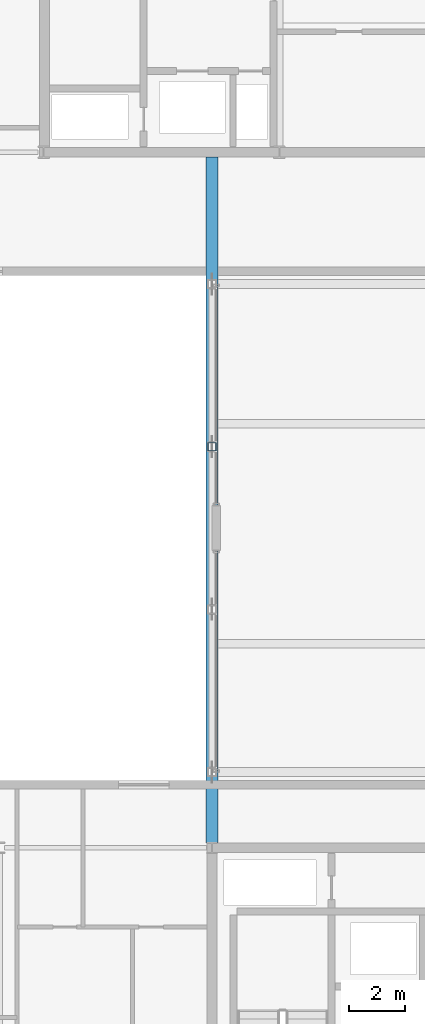
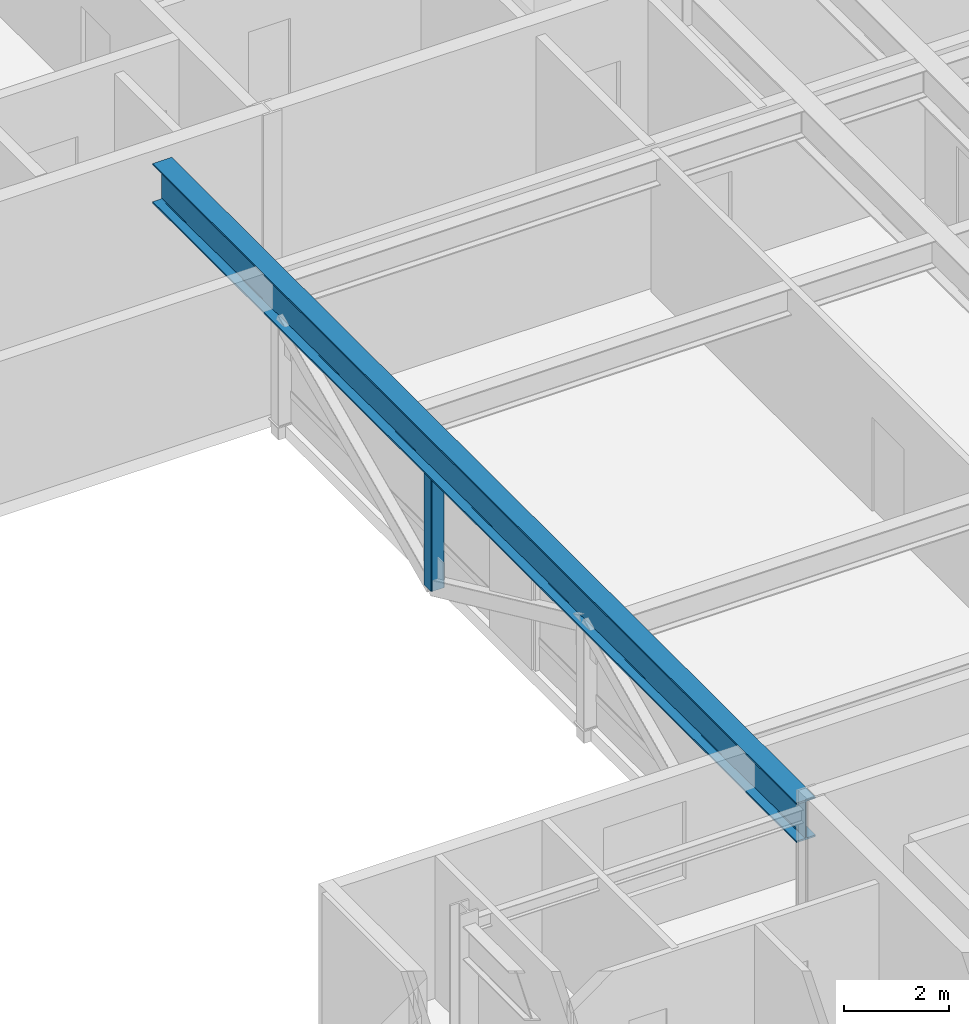
# One storey, part 5 of 35: 1 beam, 1 member.
"""IFC4 building model written with IfcOpenShell, lengths in metres."""

import ifcopenshell
import ifcopenshell.guid

model = None  # the IFC model being written
_history = None  # IfcOwnerHistory: only IFC2X3 demands one
_inside = {}  # id of a spatial element -> (the spatial element, [elements in it])
_under = {}  # id of a project, library or spatial element -> (it, [spatial elements below it])
_declared = {}  # id of a project -> (the project, [libraries it declares])
_typed = {}  # id of a type object -> (the type object, [elements of that type])
_made_of = {}  # id of a material, layer set ... -> (it, [elements and type objects made of it])


def new_model(schema):
    """Start an empty IFC model of exactly this schema.

    Asked for "IFC4X3", IfcOpenShell would pick the latest addendum, in which some entities
    have other attributes; the version numbers below select the first issue.
    IFC2X3 requires an IfcOwnerHistory on every rooted entity: one is made here for all.
    """
    global model, _history
    if schema == "IFC4X3":
        model = ifcopenshell.file(schema_version=(4, 3, 0, 0))
    else:
        model = ifcopenshell.file(schema=schema)
    _inside.clear()
    _under.clear()
    _declared.clear()
    _typed.clear()
    _made_of.clear()
    _history = None
    if model.schema == "IFC2X3":
        org = make("IfcOrganization", Name="unknown")
        user = make(
            "IfcPersonAndOrganization",
            ThePerson=make("IfcPerson", FamilyName="unknown"),
            TheOrganization=org,
        )
        app = make(
            "IfcApplication",
            ApplicationDeveloper=org,
            Version="unknown",
            ApplicationFullName="unknown",
            ApplicationIdentifier="unknown",
        )
        _history = make(
            "IfcOwnerHistory",
            OwningUser=user,
            OwningApplication=app,
            ChangeAction="ADDED",
            CreationDate=0,
        )
    return model


def make(cls, **values):
    """One entity of the class cls with the attributes given. An attribute that is None is left unset."""
    return model.create_entity(
        cls, **{name: value for name, value in values.items() if value is not None}
    )


def rooted(cls, **values):
    """An entity with a GlobalId (a new one), such as an element, a storey or a relation."""
    return make(cls, GlobalId=ifcopenshell.guid.new(), OwnerHistory=_history, **values)


def si_unit(unit_type, name, prefix=None):
    """IfcSIUnit, for example si_unit("LENGTHUNIT", "METRE", prefix="MILLI")."""
    return make("IfcSIUnit", UnitType=unit_type, Prefix=prefix, Name=name)


def assignment(units):
    """IfcUnitAssignment: the units of a project."""
    return None if units is None else make("IfcUnitAssignment", Units=units)


def point(xyz):
    """IfcCartesianPoint."""
    return None if xyz is None else make("IfcCartesianPoint", Coordinates=xyz)


def direction(xyz):
    """IfcDirection."""
    return None if xyz is None else make("IfcDirection", DirectionRatios=xyz)


def frame(location, z_axis=None, x_axis=None):
    """IfcAxis2Placement3D, a coordinate frame: its origin and axes. An axis left out is left unset."""
    return make(
        "IfcAxis2Placement3D",
        Location=point(location),
        Axis=direction(z_axis),
        RefDirection=direction(x_axis),
    )


def frame_2d(location, x_axis=None):
    """IfcAxis2Placement2D, a coordinate frame in the plane: its origin and x axis."""
    return make(
        "IfcAxis2Placement2D", Location=point(location), RefDirection=direction(x_axis)
    )


def origin():
    """The frame at (0, 0, 0) with its axes left unset."""
    return frame((0.0, 0.0, 0.0))


def origin_2d():
    """The frame at (0, 0) in the plane with its x axis left unset."""
    return frame_2d((0.0, 0.0))


def place(relative_to, where):
    """IfcLocalPlacement: puts the frame where relative to a parent placement (None: the world)."""
    return make(
        "IfcLocalPlacement", PlacementRelTo=relative_to, RelativePlacement=where
    )


def context(
    kind, dimensions, precision=None, world=None, true_north=None, identifier=None
):
    """IfcGeometricRepresentationContext, for example the 3D "Model" context."""
    return make(
        "IfcGeometricRepresentationContext",
        ContextIdentifier=identifier,
        ContextType=kind,
        CoordinateSpaceDimension=dimensions,
        Precision=precision,
        WorldCoordinateSystem=world,
        TrueNorth=true_north,
    )


def subcontext(parent, identifier, kind, view, scale=None):
    """IfcGeometricRepresentationSubContext, for example "Body" below "Model"."""
    return make(
        "IfcGeometricRepresentationSubContext",
        ContextIdentifier=identifier,
        ContextType=kind,
        ParentContext=parent,
        TargetScale=scale,
        TargetView=view,
    )


def project(units=None, contexts=None):
    """IfcProject with its units and contexts."""
    return rooted(
        "IfcProject",
        Name="project",
        RepresentationContexts=contexts,
        UnitsInContext=assignment(units),
    )


def spatial(cls, under=None, at=None, **own):
    """A site, building, storey or space (cls), placed at a placement, below another one or the project."""
    s = rooted(cls, ObjectPlacement=at, **own)
    if under is not None:
        _under.setdefault(under.id(), (under, []))[1].append(s)
    return s


def profile(cls, at=None, kind="AREA", **sizes):
    """A parametric profile (cls). Its sizes go by their IFC names, for example OverallWidth=200.0."""
    return make(cls, ProfileType=kind, Position=at, **sizes)


def hollow_rectangle(**sizes):
    """IfcRectangleHollowProfileDef."""
    return profile("IfcRectangleHollowProfileDef", **sizes)


def i_section(**sizes):
    """IfcIShapeProfileDef."""
    return profile("IfcIShapeProfileDef", **sizes)


def extrude(swept, where, along, depth):
    """IfcExtrudedAreaSolid: the profile swept, set in the frame where, extruded along a direction by depth."""
    return make(
        "IfcExtrudedAreaSolid",
        SweptArea=swept,
        Position=where,
        ExtrudedDirection=direction(along),
        Depth=depth,
    )


def shape(context_of_items, identifier, shape_type, items):
    """IfcShapeRepresentation: the items that make up one representation, for example the "Body"."""
    return make(
        "IfcShapeRepresentation",
        ContextOfItems=context_of_items,
        RepresentationIdentifier=identifier,
        RepresentationType=shape_type,
        Items=items,
    )


def material(Name=None, Category=None):
    """IfcMaterial."""
    return make("IfcMaterial", Name=Name, Category=Category)


def material_profile(
    of_material, cross_section, Name=None, Category=None, Priority=None
):
    """IfcMaterialProfile: a cross section and its material."""
    return make(
        "IfcMaterialProfile",
        Name=Name,
        Material=of_material,
        Profile=cross_section,
        Priority=Priority,
        Category=Category,
    )


def profile_set(profiles, Name=None, composite=None):
    """IfcMaterialProfileSet."""
    return make(
        "IfcMaterialProfileSet",
        Name=Name,
        MaterialProfiles=profiles,
        CompositeProfile=composite,
    )


def made_of(thing, what):
    """Note that an element or type object is made of a material, layer set ...; save() writes the relation."""
    if what is not None:
        _made_of.setdefault(what.id(), (what, []))[1].append(thing)
    return thing


def type_object(cls, material=None, **own):
    """A type object (cls), such as IfcWallType, which elements share."""
    return made_of(rooted(cls, **own), material)


def element(
    cls,
    number,
    at=None,
    inside=None,
    cuts=None,
    type_object=None,
    material=None,
    context=None,
    identifier="Body",
    shape_type=None,
    held_by="IfcProductDefinitionShape",
    body=None,
    shapes=None,
    **own,
):
    """One element of the class cls, such as IfcWall. Its Tag is "e" and its number.

    at: its placement. inside: the storey or other place that contains it. cuts: it is an
    opening in that element (IfcRelVoidsElement). A single representation is given by context,
    identifier, shape_type and body (its items); several are given by shapes. held_by: the class
    of the entity that holds the representations. save() writes the other relations.
    """
    e = rooted(cls, Tag="e%d" % number, ObjectPlacement=at, **own)
    if body is not None:
        shapes = [shape(context, identifier, shape_type, body)]
    if shapes is not None:
        e.Representation = make(held_by, Representations=shapes)
    if inside is not None:
        _inside.setdefault(inside.id(), (inside, []))[1].append(e)
    if cuts is not None:
        rooted(
            "IfcRelVoidsElement", RelatingBuildingElement=cuts, RelatedOpeningElement=e
        )
    if type_object is not None:
        _typed.setdefault(type_object.id(), (type_object, []))[1].append(e)
    return made_of(e, material)


def aggregate(whole, parts):
    """IfcRelAggregates: a whole, such as a stair, and the parts it consists of."""
    return rooted("IfcRelAggregates", RelatingObject=whole, RelatedObjects=parts)


def save(model, path):
    """Write the relations noted so far, then the file.

    IfcRelAggregates (storeys below a building ...), IfcRelContainedInSpatialStructure (elements
    in a storey), IfcRelDefinesByType, IfcRelAssociatesMaterial and IfcRelDeclares: one each for
    every whole, place, type object, material and project.
    """
    for whole, parts in _under.values():
        aggregate(whole, parts)
    for where, things in _inside.values():
        rooted(
            "IfcRelContainedInSpatialStructure",
            RelatedElements=things,
            RelatingStructure=where,
        )
    for kind, things in _typed.values():
        rooted("IfcRelDefinesByType", RelatedObjects=things, RelatingType=kind)
    for what, things in _made_of.values():
        rooted("IfcRelAssociatesMaterial", RelatedObjects=things, RelatingMaterial=what)
    for by, libraries in _declared.values():
        rooted("IfcRelDeclares", RelatingContext=by, RelatedDefinitions=libraries)
    model.write(path)


model = new_model("IFC4")

# Units and contexts
model_context = context("Model", 3, precision=1e-05, world=origin(), true_north=direction((0.0, 1.0)))
body_context = subcontext(model_context, "Body", "Model", "MODEL_VIEW")
ifc_project = project(units=[si_unit("LENGTHUNIT", "METRE"), si_unit("AREAUNIT", "SQUARE_METRE"), si_unit("VOLUMEUNIT", "CUBIC_METRE"), si_unit("PLANEANGLEUNIT", "RADIAN"), si_unit("MASSUNIT", "GRAM", prefix="KILO")], contexts=[model_context])

# Site, building, storey
site_placement = place(None, origin())
site = spatial("IfcSite", under=ifc_project, at=site_placement, CompositionType="ELEMENT")
building_placement = place(site_placement, origin())
building = spatial("IfcBuilding", under=site, at=building_placement, Name="Korimba Cascade Residences", CompositionType="ELEMENT")
storey_placement = place(building_placement, frame((0.0, 0.0, 150.10009765625)))
storey = spatial("IfcBuildingStorey", under=building, at=storey_placement, Name="L43", CompositionType="ELEMENT", Elevation=150.10009765625)

# Beam
ifc_material = material(Name="Steel S460", Category="steel")
ifc_material_profile_1 = material_profile(ifc_material, i_section(OverallWidth=0.42041015625, OverallDepth=0.9208984375, WebThickness=0.021484375, FlangeThickness=0.03662109375, FilletRadius=0.02392578125, at=origin_2d()), Name="Steel S460")
ifc_profile_set_1 = profile_set([ifc_material_profile_1], Name="Steel S460")
beam_type = type_object("IfcBeamType", Name="BM-STL-UB914A", PredefinedType="BEAM", material=ifc_profile_set_1)
beam_placement = place(storey_placement, frame((82.10009765625, 30.574951171875, 2.849365234375), z_axis=(0.0, 1.0, 0.0), x_axis=(-1.0, 0.0, 0.0)))
element("IfcBeam", 1, at=beam_placement, inside=storey, type_object=beam_type, Name="L43 Rigid Mid-Bridge Truss Chord 1", PredefinedType="BEAM", context=body_context, shape_type="SweptSolid", body=[
    extrude(i_section(OverallWidth=0.42041015625, OverallDepth=0.9208984375, WebThickness=0.021484375, FlangeThickness=0.03662109375, FilletRadius=0.02392578125, at=origin_2d()), origin(), (0.0, 0.0, 1.0), 24.449951171875),
])

# Member
ifc_material_profile_2 = material_profile(ifc_material, hollow_rectangle(XDim=0.300048828125, YDim=0.300048828125, WallThickness=0.012451171875, InnerFilletRadius=0.012451171875, OuterFilletRadius=0.02490234375, at=origin_2d()), Name="Steel S460")
ifc_profile_set_2 = profile_set([ifc_material_profile_2], Name="Steel S460")
member_type = type_object("IfcMemberType", Name="MEM-BRG-STR300", PredefinedType="STRUT", material=ifc_profile_set_2)
member_placement = place(storey_placement, frame((82.10009765625, 44.699951171875, -0.2900390625), z_axis=(0.0, 0.0, 1.0), x_axis=(1.0, 0.0, 0.0)))
element("IfcMember", 2, at=member_placement, inside=storey, type_object=member_type, Name="L43 Mid-Bridge Warren Web Post W3", PredefinedType="STRUT", context=body_context, shape_type="SweptSolid", body=[
    extrude(hollow_rectangle(XDim=0.300048828125, YDim=0.300048828125, WallThickness=0.012451171875, InnerFilletRadius=0.012451171875, OuterFilletRadius=0.02490234375, at=origin_2d()), origin(), (0.0, 0.0, 1.0), 2.678955078125),
])

save(model, "model.ifc")
